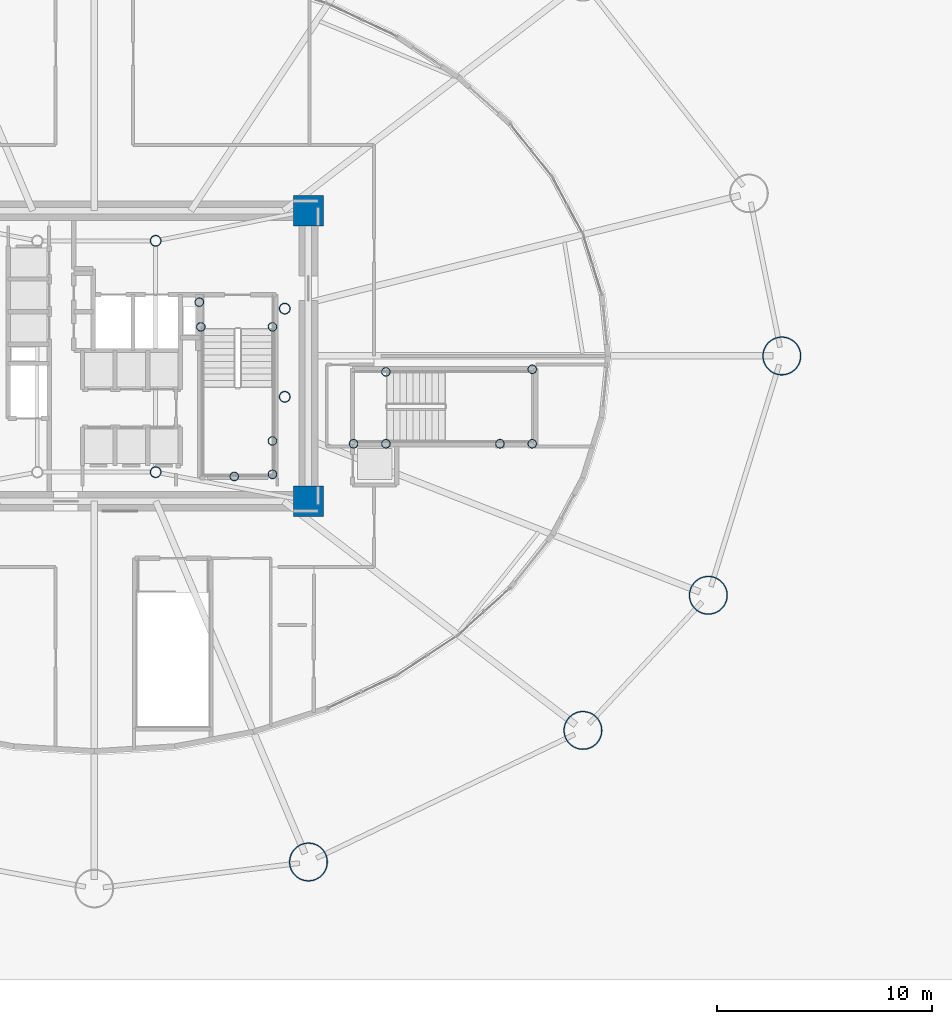
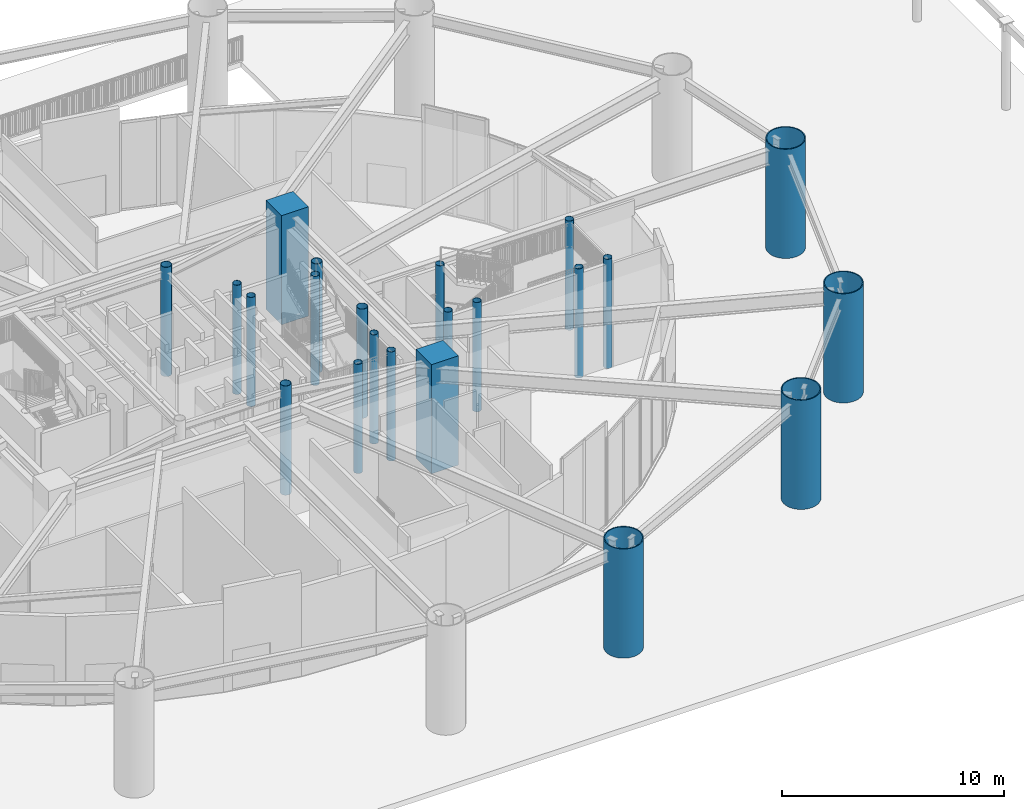
# One storey, part 2 of 46: 22 columns.
"""IFC4 building model written with IfcOpenShell, lengths in metres."""

from ifc_helpers import new_model, si_unit, direction, frame, origin, origin_2d, place, context, subcontext, project, spatial, rectangle, hollow_circle, extrude, material, material_profile, profile_set, type_object, element, save


model = new_model("IFC4")

# Units and contexts
model_context = context("Model", 3, precision=1e-05, world=origin(), true_north=direction((0.0, 1.0)))
body_context = subcontext(model_context, "Body", "Model", "MODEL_VIEW")
ifc_project = project(units=[si_unit("LENGTHUNIT", "METRE"), si_unit("AREAUNIT", "SQUARE_METRE"), si_unit("VOLUMEUNIT", "CUBIC_METRE"), si_unit("PLANEANGLEUNIT", "RADIAN"), si_unit("MASSUNIT", "GRAM", prefix="KILO")], contexts=[model_context])

# Site, building, storey
site_placement = place(None, origin())
site = spatial("IfcSite", under=ifc_project, at=site_placement, CompositionType="ELEMENT")
building_placement = place(site_placement, origin())
building = spatial("IfcBuilding", under=site, at=building_placement, Name="Linh Dai School and Residence Tower", CompositionType="ELEMENT")
storey_placement = place(building_placement, origin())
storey = spatial("IfcBuildingStorey", under=building, at=storey_placement, Name="L00", CompositionType="ELEMENT", Elevation=0.0)

# Columns
ifc_material_1 = material(Name="Concrete B60 (C50/60)", Category="concrete")
ifc_material_profile_1 = material_profile(ifc_material_1, rectangle(XDim=1.39990234375, YDim=1.39990234375, at=origin_2d()), Name="RC 1400x1400")
ifc_profile_set_1 = profile_set([ifc_material_profile_1], Name="Concrete B60 (C50/60)")
column_type_1 = type_object("IfcColumnType", Name="COL-CC1", PredefinedType="COLUMN", material=ifc_profile_set_1)
for number, where, z_axis, x_axis, name in (
    (1, (45.949951171875, 20.25, 0.0), (0.0, 0.0, 1.0), (1.0, 0.0, 0.0), "L00 Core Corner Pier CC2"),
    (2, (45.949951171875, 33.75, 0.0), (0.0, 0.0, 1.0), (1.0, 0.0, 0.0), "L00 Core Corner Pier CC3"),
):
    element("IfcColumn", number, at=place(storey_placement, frame(where, z_axis=z_axis, x_axis=x_axis)), inside=storey, type_object=column_type_1, Name=name, PredefinedType="COLUMN", context=body_context, shape_type="SweptSolid", body=[
        extrude(rectangle(XDim=1.39990234375, YDim=1.39990234375, at=origin_2d()), origin(), (0.0, 0.0, 1.0), 6.0),
    ])
ifc_material_2 = material(Name="Structural Steel S355JR", Category="steel")
ifc_material_profile_2 = material_profile(ifc_material_2, hollow_circle(Radius=0.203125, WallThickness=0.01611328125, at=origin_2d()), Name="CHS 406.4x16")
ifc_profile_set_2 = profile_set([ifc_material_profile_2], Name="Structural Steel S355JR")
column_type_2 = type_object("IfcColumnType", Name="COL-EC", PredefinedType="COLUMN", material=ifc_profile_set_2)
for number, where, z_axis, x_axis, name in (
    (3, (44.280029296875, 21.5, 0.0), (0.0, 0.0, 1.0), (1.0, 0.0, 0.0), "L00 Stair Shaft Landing Support Pier ST2SE"),
    (4, (44.280029296875, 23.050048828125, 0.0), (0.0, 0.0, 1.0), (1.0, 0.0, 0.0), "L00 Stair Shaft Landing Support Pier ST2NE"),
    (5, (42.5, 21.39990234375, 0.0), (0.0, 0.0, 1.0), (1.0, 0.0, 0.0), "L00 Stair Shaft Landing Support Pier ST2MS"),
    (6, (40.949951171875, 28.35009765625, 0.0), (0.0, 0.0, 1.0), (1.0, 0.0, 0.0), "L00 Stair Shaft Landing Support Pier ST2N1"),
    (7, (44.280029296875, 28.35009765625, 0.0), (0.0, 0.0, 1.0), (1.0, 0.0, 0.0), "L00 Stair Shaft Landing Support Pier ST2N2"),
    (8, (40.8798828125, 29.5, 0.0), (0.0, 0.0, 1.0), (1.0, 0.0, 0.0), "L00 Stair Shaft Landing Support Pier ST2N3"),
    (9, (56.35009765625, 26.3798828125, 0.0), (0.0, 0.0, 1.0), (1.0, 0.0, 0.0), "L00 Stair Shaft Landing Support Pier STS2NE"),
    (10, (56.35009765625, 22.919921875, 0.0), (0.0, 0.0, 1.0), (1.0, 0.0, 0.0), "L00 Stair Shaft Landing Support Pier STS2SE"),
    (11, (54.85009765625, 22.919921875, 0.0), (0.0, 0.0, 1.0), (1.0, 0.0, 0.0), "L00 Stair Shaft Landing Support Pier STS2MW"),
    (12, (49.550048828125, 26.260009765625, 0.0), (0.0, 0.0, 1.0), (1.0, 0.0, 0.0), "L00 Stair Shaft Landing Support Pier STS2L2N"),
    (13, (49.550048828125, 22.919921875, 0.0), (0.0, 0.0, 1.0), (1.0, 0.0, 0.0), "L00 Stair Shaft Landing Support Pier STS2L2S"),
    (14, (48.050048828125, 22.919921875, 0.0), (0.0, 0.0, 1.0), (1.0, 0.0, 0.0), "L00 Stair Shaft Landing Support Pier STS2L2W"),
):
    element("IfcColumn", number, at=place(storey_placement, frame(where, z_axis=z_axis, x_axis=x_axis)), inside=storey, type_object=column_type_2, Name=name, PredefinedType="COLUMN", context=body_context, shape_type="SweptSolid", body=[
        extrude(hollow_circle(Radius=0.203125, WallThickness=0.01611328125, at=origin_2d()), origin(), (0.0, 0.0, 1.0), 6.0),
    ])
ifc_material_profile_3 = material_profile(ifc_material_2, hollow_circle(Radius=0.89990234375, WallThickness=0.050048828125, at=origin_2d()), Name="CHS 1800x50")
ifc_profile_set_3 = profile_set([ifc_material_profile_3], Name="Structural Steel S355JR")
column_type_3 = type_object("IfcColumnType", Name="COL-MC1", PredefinedType="COLUMN", material=ifc_profile_set_3)
for number, where, z_axis, x_axis, name in (
    (15, (67.949951171875, 27.0, 0.0), (0.0, 0.0, 1.0), (1.0, 0.0, 0.0), "L00 Perimeter CFT Mega-Column MC01"),
    (16, (45.951171875, 3.48388671875, 0.0), (0.0, 0.0, 1.0), (1.0, 0.0, 0.0), "L00 Perimeter CFT Mega-Column MC14"),
    (17, (58.705322265625, 9.599365234375, 0.0), (0.0, 0.0, 1.0), (1.0, 0.0, 0.0), "L00 Perimeter CFT Mega-Column MC15"),
    (18, (64.53369140625, 15.8779296875, 0.0), (0.0, 0.0, 1.0), (1.0, 0.0, 0.0), "L00 Perimeter CFT Mega-Column MC16"),
):
    element("IfcColumn", number, at=place(storey_placement, frame(where, z_axis=z_axis, x_axis=x_axis)), inside=storey, type_object=column_type_3, Name=name, PredefinedType="COLUMN", context=body_context, shape_type="SweptSolid", body=[
        extrude(hollow_circle(Radius=0.89990234375, WallThickness=0.050048828125, at=origin_2d()), origin(), (0.0, 0.0, 1.0), 6.0),
    ])
ifc_material_profile_4 = material_profile(ifc_material_2, hollow_circle(Radius=0.25390625, WallThickness=0.02001953125, at=origin_2d()), Name="CHS 508x20")
ifc_profile_set_4 = profile_set([ifc_material_profile_4], Name="Structural Steel S355JR")
column_type_4 = type_object("IfcColumnType", Name="COL-MCP", PredefinedType="COLUMN", material=ifc_profile_set_4)
for number, where, z_axis, x_axis, name in (
    (19, (38.85009765625, 21.60009765625, 0.0), (0.0, 0.0, 1.0), (1.0, 0.0, 0.0), "L00 Core Mast Support Pier MCP2"),
    (20, (38.85009765625, 32.35009765625, 0.0), (0.0, 0.0, 1.0), (1.0, 0.0, 0.0), "L00 Core Mast Support Pier MCP3"),
    (21, (44.85009765625, 25.10009765625, 0.0), (0.0, 0.0, 1.0), (1.0, 0.0, 0.0), "L00 Sky-Lounge Core Anchor Pier S"),
    (22, (44.85009765625, 29.199951171875, 0.0), (0.0, 0.0, 1.0), (1.0, 0.0, 0.0), "L00 Sky-Lounge Core Anchor Pier N"),
):
    element("IfcColumn", number, at=place(storey_placement, frame(where, z_axis=z_axis, x_axis=x_axis)), inside=storey, type_object=column_type_4, Name=name, PredefinedType="COLUMN", context=body_context, shape_type="SweptSolid", body=[
        extrude(hollow_circle(Radius=0.25390625, WallThickness=0.02001953125, at=origin_2d()), origin(), (0.0, 0.0, 1.0), 6.0),
    ])

save(model, "model.ifc")
